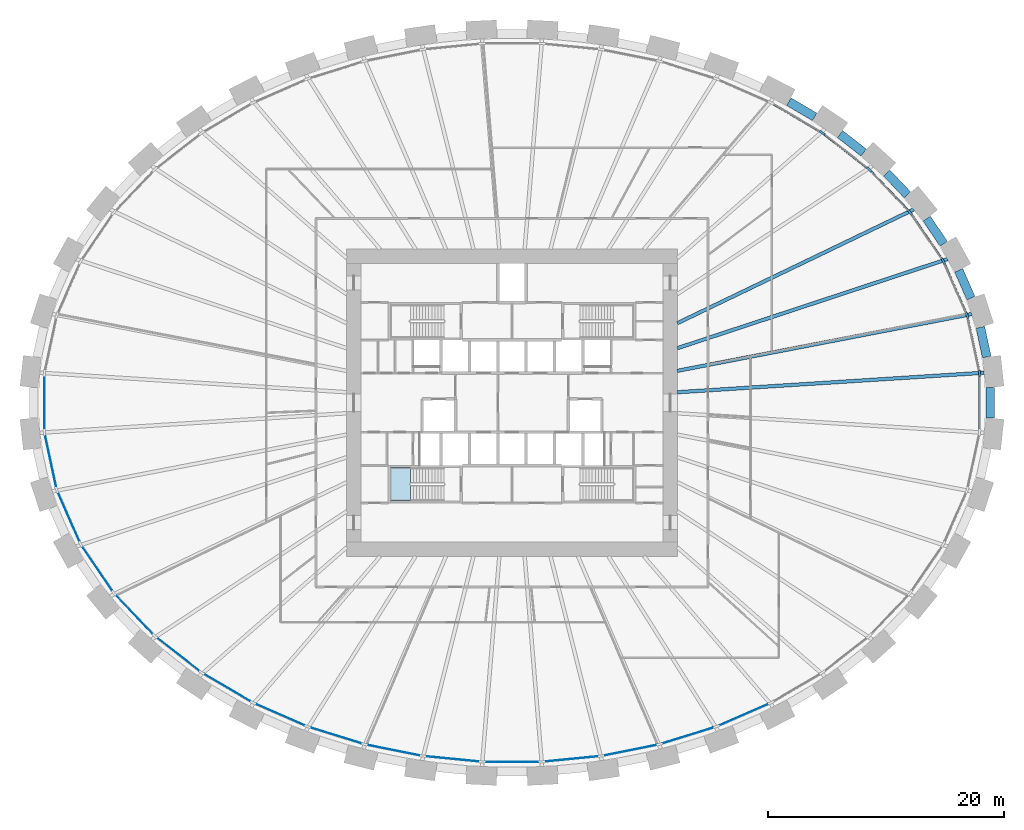
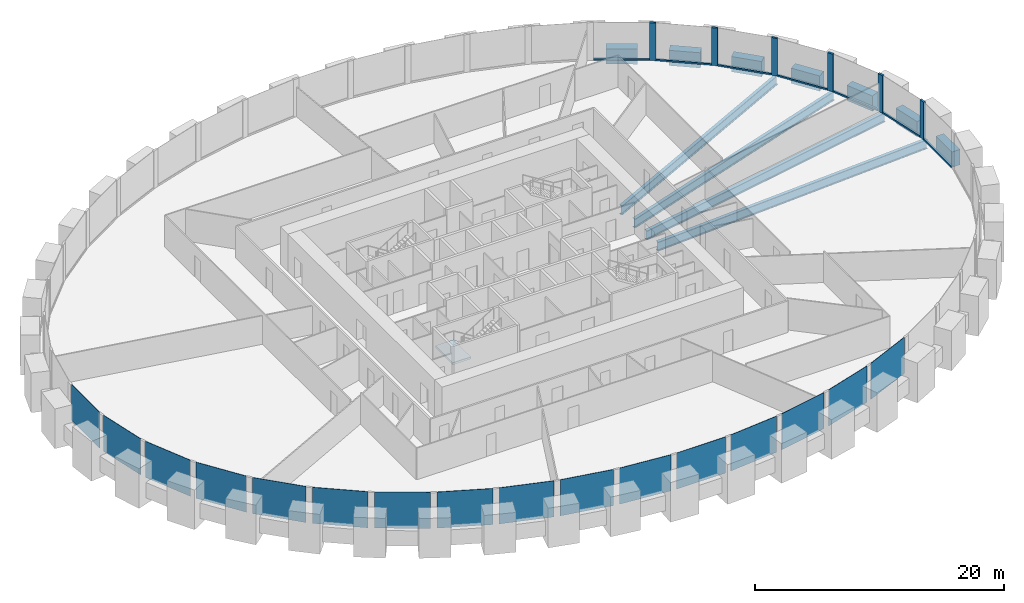
# One storey, part 4 of 11: 16 plates, 13 members, 11 beams, 1 slab, 2 elements without a shape of their own.
"""IFC4 building model written with IfcOpenShell, lengths in metres."""

from ifc_helpers import new_model, si_unit, direction, frame, origin, origin_2d, place, context, subcontext, project, spatial, polyline, rectangle, i_section, outline, extrude, source, transform, mapped, material, layer, layer_set, material_profile, profile_set, type_object, element, aggregate, save


model = new_model("IFC4")

# Units and contexts
model_context = context("Model", 3, precision=1e-05, world=origin(), true_north=direction((0.0, 1.0)))
body_context = subcontext(model_context, "Body", "Model", "MODEL_VIEW")
ifc_project = project(units=[si_unit("LENGTHUNIT", "METRE"), si_unit("AREAUNIT", "SQUARE_METRE"), si_unit("VOLUMEUNIT", "CUBIC_METRE"), si_unit("PLANEANGLEUNIT", "RADIAN"), si_unit("MASSUNIT", "GRAM", prefix="KILO")], contexts=[model_context])

# Site, building, storey
site_placement = place(None, origin())
site = spatial("IfcSite", under=ifc_project, at=site_placement, CompositionType="ELEMENT")
building_placement = place(site_placement, origin())
building = spatial("IfcBuilding", under=site, at=building_placement, Name="Embergate Tower", CompositionType="ELEMENT")
storey_placement = place(building_placement, frame((0.0, 0.0, 77.60009765625)))
storey = spatial("IfcBuildingStorey", under=building, at=storey_placement, Name="L15", CompositionType="ELEMENT", Elevation=77.60009765625)

# Beams
ifc_material_1 = material(Name="Concrete C70", Category="concrete")
ifc_material_profile_1 = material_profile(ifc_material_1, rectangle(XDim=0.75, YDim=1.5, at=origin_2d()), Name="RC 750x1500")
ifc_profile_set_1 = profile_set([ifc_material_profile_1], Name="Concrete C70")
beam_type_1 = type_object("IfcBeamType", Name="Spandrel beam RC 750x1500 C70", PredefinedType="BEAM", material=ifc_profile_set_1)
shared_shape_1 = source(origin(), body_context, "Body", "SweptSolid", [
    extrude(rectangle(XDim=0.75, YDim=1.5, at=origin_2d()), origin(), (0.0, 0.0, 1.0), 2.5498046875),
])
beam_1_placement = place(storey_placement, frame((33.48388671875, 17.60791015625, 0.0), z_axis=(-0.689760361446, 0.724037736432, 0.0), x_axis=(-0.724037736432, -0.689760361446, 0.0)))
element("IfcBeam", 1, at=beam_1_placement, inside=storey, type_object=beam_type_1, Name="SPN-L15-03", PredefinedType="BEAM", context=body_context, shape_type="MappedRepresentation", body=[
    mapped(shared_shape_1, transform((0.0, 0.0, 0.0))),
])
shared_shape_2 = source(origin(), body_context, "Body", "SweptSolid", [
    extrude(rectangle(XDim=0.75, YDim=1.5, at=origin_2d()), origin(), (0.0, 0.0, 1.0), 2.5693359375),
])
beam_2_placement = place(storey_placement, frame((40.201904296875, 3.87109375, 0.0), z_axis=(-0.210093623492, 0.977681271871, 0.0), x_axis=(-0.977681271871, -0.210093623492, 0.0)))
element("IfcBeam", 2, at=beam_2_placement, inside=storey, type_object=beam_type_1, Name="SPN-L15-00", PredefinedType="BEAM", context=body_context, shape_type="MappedRepresentation", body=[
    mapped(shared_shape_2, transform((0.0, 0.0, 0.0))),
])
shared_shape_3 = source(origin(), body_context, "Body", "SweptSolid", [
    extrude(rectangle(XDim=0.75, YDim=1.5, at=origin_2d()), origin(), (0.0, 0.0, 1.0), 2.56591796875),
])
beam_3_placement = place(storey_placement, frame((38.862060546875, 8.85693359375, 0.0), z_axis=(-0.401427690069, 0.915890719271, 0.0), x_axis=(-0.915890719271, -0.401427690069, 0.0)))
element("IfcBeam", 3, at=beam_3_placement, inside=storey, type_object=beam_type_1, Name="SPN-L15-01", PredefinedType="BEAM", context=body_context, shape_type="MappedRepresentation", body=[
    mapped(shared_shape_3, transform((0.0, 0.0, 0.0))),
])
shared_shape_4 = source(origin(), body_context, "Body", "SweptSolid", [
    extrude(rectangle(XDim=0.75, YDim=1.5, at=origin_2d()), origin(), (0.0, 0.0, 1.0), 2.556640625),
])
beam_4_placement = place(storey_placement, frame((36.555908203125, 13.471923828125, 0.0), z_axis=(-0.562432772417, 0.826843018058, 0.0), x_axis=(-0.826843018058, -0.562432772417, 0.0)))
element("IfcBeam", 4, at=beam_4_placement, inside=storey, type_object=beam_type_1, Name="SPN-L15-02", PredefinedType="BEAM", context=body_context, shape_type="MappedRepresentation", body=[
    mapped(shared_shape_4, transform((0.0, 0.0, 0.0))),
])
shared_shape_5 = source(origin(), body_context, "Body", "SweptSolid", [
    extrude(rectangle(XDim=0.75, YDim=1.5, at=origin_2d()), origin(), (0.0, 0.0, 1.0), 2.542724609375),
])
beam_5_placement = place(storey_placement, frame((29.783935546875, 21.18408203125, 0.0), z_axis=(-0.788472504965, 0.615070003264, 0.0), x_axis=(-0.615070003264, -0.788472504965, 0.0)))
element("IfcBeam", 5, at=beam_5_placement, inside=storey, type_object=beam_type_1, Name="SPN-L15-04", PredefinedType="BEAM", context=body_context, shape_type="MappedRepresentation", body=[
    mapped(shared_shape_5, transform((0.0, 0.0, 0.0))),
])
shared_shape_6 = source(origin(), body_context, "Body", "SweptSolid", [
    extrude(rectangle(XDim=0.75, YDim=1.5, at=origin_2d()), origin(), (0.0, 0.0, 1.0), 2.537109375),
])
beam_6_placement = place(storey_placement, frame((25.62890625, 24.2099609375, 0.0), z_axis=(-0.861993577549, 0.506919196978, 0.0), x_axis=(-0.506919196978, -0.861993577549, 0.0)))
element("IfcBeam", 6, at=beam_6_placement, inside=storey, type_object=beam_type_1, Name="SPN-L15-05", PredefinedType="BEAM", context=body_context, shape_type="MappedRepresentation", body=[
    mapped(shared_shape_6, transform((0.0, 0.0, 0.0))),
])
shared_shape_7 = source(origin(), body_context, "Body", "SweptSolid", [
    extrude(rectangle(XDim=0.75, YDim=1.5, at=origin_2d()), origin(), (0.0, 0.0, 1.0), 2.576171875),
])
beam_7_placement = place(storey_placement, frame((40.4970703125, -1.2880859375, 0.0), z_axis=(0.0, 1.0, 0.0), x_axis=(-1.0, 0.0, 0.0)))
element("IfcBeam", 7, at=beam_7_placement, inside=storey, type_object=beam_type_1, Name="SPN-L15-43", PredefinedType="BEAM", context=body_context, shape_type="MappedRepresentation", body=[
    mapped(shared_shape_7, transform((0.0, 0.0, 0.0))),
])
ifc_material_2 = material(Name="Steel Q355B", Category="steel")
ifc_material_profile_2 = material_profile(ifc_material_2, i_section(OverallWidth=0.300048828125, OverallDepth=0.89990234375, WebThickness=0.01611328125, FlangeThickness=0.028076171875, FilletRadius=0.028076171875, at=origin_2d()), Name="HN 900x300x16x28")
ifc_profile_set_2 = profile_set([ifc_material_profile_2], Name="Steel Q355 grade B")
beam_type_2 = type_object("IfcBeamType", Name="Radial girder HN 900x300x16x28", PredefinedType="BEAM", material=ifc_profile_set_2)
shared_shape_8 = source(origin(), body_context, "Body", "SweptSolid", [
    extrude(i_section(OverallWidth=0.300048828125, OverallDepth=0.89990234375, WebThickness=0.01611328125, FlangeThickness=0.028076171875, FilletRadius=0.028076171875, at=origin_2d()), origin(), (0.0, 0.0, 1.0), 26.034423828125),
])
beam_8_placement = place(storey_placement, frame((39.98193359375, 2.5400390625, -0.650146484375), z_axis=(-0.997986864702, -0.063420957753, 0.0), x_axis=(0.063420957753, -0.997986864702, 0.0)))
element("IfcBeam", 8, at=beam_8_placement, inside=storey, type_object=beam_type_2, Name="GIR-L15-00", PredefinedType="BEAM", context=body_context, shape_type="MappedRepresentation", body=[
    mapped(shared_shape_8, transform((0.0, 0.0, 0.0))),
])
shared_shape_9 = source(origin(), body_context, "Body", "SweptSolid", [
    extrude(i_section(OverallWidth=0.300048828125, OverallDepth=0.89990234375, WebThickness=0.01611328125, FlangeThickness=0.028076171875, FilletRadius=0.028076171875, at=origin_2d()), origin(), (0.0, 0.0, 1.0), 25.373291015625),
])
beam_9_placement = place(storey_placement, frame((38.9140625, 7.507080078125, -0.650146484375), z_axis=(-0.981896748495, -0.189416935078, 0.0), x_axis=(0.189416935078, -0.981896748495, 0.0)))
element("IfcBeam", 9, at=beam_9_placement, inside=storey, type_object=beam_type_2, Name="GIR-L15-01", PredefinedType="BEAM", context=body_context, shape_type="MappedRepresentation", body=[
    mapped(shared_shape_9, transform((0.0, 0.0, 0.0))),
])
shared_shape_10 = source(origin(), body_context, "Body", "SweptSolid", [
    extrude(i_section(OverallWidth=0.300048828125, OverallDepth=0.89990234375, WebThickness=0.01611328125, FlangeThickness=0.028076171875, FilletRadius=0.028076171875, at=origin_2d()), origin(), (0.0, 0.0, 1.0), 24.0849609375),
])
beam_10_placement = place(storey_placement, frame((36.873046875, 12.160888671875, -0.650146484375), z_axis=(-0.949680038857, -0.313221684748, 0.0), x_axis=(0.313221684748, -0.949680038857, 0.0)))
element("IfcBeam", 10, at=beam_10_placement, inside=storey, type_object=beam_type_2, Name="GIR-L15-02", PredefinedType="BEAM", context=body_context, shape_type="MappedRepresentation", body=[
    mapped(shared_shape_10, transform((0.0, 0.0, 0.0))),
])
shared_shape_11 = source(origin(), body_context, "Body", "SweptSolid", [
    extrude(i_section(OverallWidth=0.300048828125, OverallDepth=0.89990234375, WebThickness=0.01611328125, FlangeThickness=0.028076171875, FilletRadius=0.028076171875, at=origin_2d()), origin(), (0.0, 0.0, 1.0), 22.210693359375),
])
beam_11_placement = place(storey_placement, frame((34.014892578125, 16.364013671875, -0.650146484375), z_axis=(-0.90114054222, -0.433527073165, 0.0), x_axis=(0.433527073165, -0.90114054222, 0.0)))
element("IfcBeam", 11, at=beam_11_placement, inside=storey, type_object=beam_type_2, Name="GIR-L15-03", PredefinedType="BEAM", context=body_context, shape_type="MappedRepresentation", body=[
    mapped(shared_shape_11, transform((0.0, 0.0, 0.0))),
])

# Curtain wall, members, plates
ifc_material_3 = material(Name="Aluminium and glass", Category="aluminium")
curtain_wall_type = type_object("IfcCurtainWallType", Name="Recessed office glazing", PredefinedType="NOTDEFINED", material=ifc_material_3)
curtain_wall_placement = place(storey_placement, origin())
curtain_wall = element("IfcCurtainWall", 12, at=curtain_wall_placement, inside=storey, type_object=curtain_wall_type, Name="Recessed office glazing ring", ObjectType="RECESSED OFFICE GLAZING", PredefinedType="USERDEFINED")
ifc_material_4 = material(Name="Aluminium, thermally broken", Category="aluminium")
ifc_material_profile_3 = material_profile(ifc_material_4, rectangle(XDim=0.179931640625, YDim=0.52001953125, at=origin_2d()), Name="AL 520x180")
ifc_profile_set_3 = profile_set([ifc_material_profile_3], Name="Aluminium, thermally broken")
member_type_1 = type_object("IfcMemberType", Name="Office mullion", PredefinedType="MULLION", material=ifc_profile_set_3)
shared_shape_12 = source(origin(), body_context, "Body", "SweptSolid", [
    extrude(rectangle(XDim=0.179931640625, YDim=0.52001953125, at=origin_2d()), origin(), (0.0, 0.0, 1.0), 3.699951171875),
])
member_1_placement = place(storey_placement, frame((39.59521484375, 2.498291015625, 0.0), z_axis=(0.0, 0.0, 1.0), x_axis=(-0.994385324123, -0.105819786286, 0.0)))
member_1 = element("IfcMember", 13, at=member_1_placement, type_object=member_type_1, Name="CW mullion 1", PredefinedType="MULLION", context=body_context, shape_type="MappedRepresentation", body=[
    mapped(shared_shape_12, transform((0.0, 0.0, 0.0))),
])
member_2_placement = place(storey_placement, frame((38.543212890625, 7.3857421875, 0.0), z_axis=(0.0, 0.0, 1.0), x_axis=(-0.951501019702, -0.307645590748, 0.0)))
member_2 = element("IfcMember", 14, at=member_2_placement, type_object=member_type_1, Name="CW mullion 2", PredefinedType="MULLION", context=body_context, shape_type="MappedRepresentation", body=[
    mapped(shared_shape_12, transform((0.0, 0.0, 0.0))),
])
member_3_placement = place(storey_placement, frame((36.532470703125, 11.970458984375, 0.0), z_axis=(0.0, 0.0, 1.0), x_axis=(-0.875007810402, -0.484108801547, 0.0)))
member_3 = element("IfcMember", 15, at=member_3_placement, type_object=member_type_1, Name="CW mullion 3", PredefinedType="MULLION", context=body_context, shape_type="MappedRepresentation", body=[
    mapped(shared_shape_12, transform((0.0, 0.0, 0.0))),
])
member_4_placement = place(storey_placement, frame((33.712158203125, 16.11767578125, 0.0), z_axis=(0.0, 0.0, 1.0), x_axis=(-0.777880241921, -0.628412547002, 0.0)))
member_4 = element("IfcMember", 16, at=member_4_placement, type_object=member_type_1, Name="CW mullion 4", PredefinedType="MULLION", context=body_context, shape_type="MappedRepresentation", body=[
    mapped(shared_shape_12, transform((0.0, 0.0, 0.0))),
])
member_5_placement = place(storey_placement, frame((30.2451171875, 19.75341796875, 0.0), z_axis=(0.0, 0.0, 1.0), x_axis=(-0.671234296295, -0.74124524921, 0.0)))
member_5 = element("IfcMember", 17, at=member_5_placement, type_object=member_type_1, Name="CW mullion 5", PredefinedType="MULLION", context=body_context, shape_type="MappedRepresentation", body=[
    mapped(shared_shape_12, transform((0.0, 0.0, 0.0))),
])
member_6_placement = place(storey_placement, frame((26.278564453125, 22.849365234375, 0.0), z_axis=(0.0, 0.0, 1.0), x_axis=(-0.562223392005, -0.826985403428, 0.0)))
member_6 = element("IfcMember", 18, at=member_6_placement, type_object=member_type_1, Name="CW mullion 6", PredefinedType="MULLION", context=body_context, shape_type="MappedRepresentation", body=[
    mapped(shared_shape_12, transform((0.0, 0.0, 0.0))),
])
ifc_material_profile_4 = material_profile(ifc_material_4, rectangle(XDim=0.179931640625, YDim=0.14990234375, at=origin_2d()), Name="AL 150x180")
ifc_profile_set_4 = profile_set([ifc_material_profile_4], Name="Aluminium, thermally broken")
member_type_2 = type_object("IfcMemberType", Name="Office sill transom", PredefinedType="USERDEFINED", material=ifc_profile_set_4)
shared_shape_13 = source(origin(), body_context, "Body", "SweptSolid", [
    extrude(rectangle(XDim=0.179931640625, YDim=0.14990234375, at=origin_2d()), origin(), (0.0, 0.0, 1.0), 4.50390625),
])
member_7_placement = place(storey_placement, frame((33.53271484375, 16.305908203125, 0.074951171875), z_axis=(-0.69015852771, 0.723658211194, 0.0), x_axis=(-0.723658211194, -0.69015852771, 0.0)))
member_7 = element("IfcMember", 19, at=member_7_placement, type_object=member_type_2, Name="CW transom 4.1", ObjectType="TRANSOM", PredefinedType="USERDEFINED", context=body_context, shape_type="MappedRepresentation", body=[
    mapped(shared_shape_13, transform((0.0, 0.0, 0.0))),
])
shared_shape_14 = source(origin(), body_context, "Body", "SweptSolid", [
    extrude(rectangle(XDim=0.179931640625, YDim=0.14990234375, at=origin_2d()), origin(), (0.0, 0.0, 1.0), 4.4794921875),
])
member_8_placement = place(storey_placement, frame((39.540283203125, 2.75244140625, 0.074951171875), z_axis=(-0.210381382065, 0.977619391216, 0.0), x_axis=(-0.977619391216, -0.210381382065, 0.0)))
member_8 = element("IfcMember", 20, at=member_8_placement, type_object=member_type_2, Name="CW transom 1.1", ObjectType="TRANSOM", PredefinedType="USERDEFINED", context=body_context, shape_type="MappedRepresentation", body=[
    mapped(shared_shape_14, transform((0.0, 0.0, 0.0))),
])
shared_shape_15 = source(origin(), body_context, "Body", "SweptSolid", [
    extrude(rectangle(XDim=0.179931640625, YDim=0.14990234375, at=origin_2d()), origin(), (0.0, 0.0, 1.0), 4.486328125),
])
member_9_placement = place(storey_placement, frame((38.43896484375, 7.623779296875, 0.074951171875), z_axis=(-0.401655089719, 0.915791018138, 0.0), x_axis=(-0.915791018138, -0.401655089719, 0.0)))
member_9 = element("IfcMember", 21, at=member_9_placement, type_object=member_type_2, Name="CW transom 2.1", ObjectType="TRANSOM", PredefinedType="USERDEFINED", context=body_context, shape_type="MappedRepresentation", body=[
    mapped(shared_shape_15, transform((0.0, 0.0, 0.0))),
])
shared_shape_16 = source(origin(), body_context, "Body", "SweptSolid", [
    extrude(rectangle(XDim=0.179931640625, YDim=0.14990234375, at=origin_2d()), origin(), (0.0, 0.0, 1.0), 4.4951171875),
])
member_10_placement = place(storey_placement, frame((36.38623046875, 12.185546875, 0.074951171875), z_axis=(-0.562347159837, 0.826901246718, 0.0), x_axis=(-0.826901246718, -0.562347159837, 0.0)))
member_10 = element("IfcMember", 22, at=member_10_placement, type_object=member_type_2, Name="CW transom 3.1", ObjectType="TRANSOM", PredefinedType="USERDEFINED", context=body_context, shape_type="MappedRepresentation", body=[
    mapped(shared_shape_16, transform((0.0, 0.0, 0.0))),
])
shared_shape_17 = source(origin(), body_context, "Body", "SweptSolid", [
    extrude(rectangle(XDim=0.179931640625, YDim=0.14990234375, at=origin_2d()), origin(), (0.0, 0.0, 1.0), 4.511474609375),
])
member_11_placement = place(storey_placement, frame((30.0400390625, 19.91357421875, 0.074951171875), z_axis=(-0.788345870827, 0.615232304052, 0.0), x_axis=(-0.615232304052, -0.788345870827, 0.0)))
member_11 = element("IfcMember", 23, at=member_11_placement, type_object=member_type_2, Name="CW transom 5.1", ObjectType="TRANSOM", PredefinedType="USERDEFINED", context=body_context, shape_type="MappedRepresentation", body=[
    mapped(shared_shape_17, transform((0.0, 0.0, 0.0))),
])
shared_shape_18 = source(origin(), body_context, "Body", "SweptSolid", [
    extrude(rectangle(XDim=0.179931640625, YDim=0.14990234375, at=origin_2d()), origin(), (0.0, 0.0, 1.0), 4.517578125),
])
member_12_placement = place(storey_placement, frame((26.054443359375, 22.981201171875, 0.074951171875), z_axis=(-0.862064774491, 0.506798110279, 0.0), x_axis=(-0.506798110279, -0.862064774491, 0.0)))
member_12 = element("IfcMember", 24, at=member_12_placement, type_object=member_type_2, Name="CW transom 6.1", ObjectType="TRANSOM", PredefinedType="USERDEFINED", context=body_context, shape_type="MappedRepresentation", body=[
    mapped(shared_shape_18, transform((0.0, 0.0, 0.0))),
])
shared_shape_19 = source(origin(), body_context, "Body", "SweptSolid", [
    extrude(rectangle(XDim=0.179931640625, YDim=0.14990234375, at=origin_2d()), origin(), (0.0, 0.0, 1.0), 4.4765625),
])
member_13_placement = place(storey_placement, frame((39.59521484375, -2.23828125, 0.074951171875), z_axis=(0.0, 1.0, 0.0), x_axis=(-1.0, 0.0, 0.0)))
member_13 = element("IfcMember", 25, at=member_13_placement, type_object=member_type_2, Name="CW transom 44.1", ObjectType="TRANSOM", PredefinedType="USERDEFINED", context=body_context, shape_type="MappedRepresentation", body=[
    mapped(shared_shape_19, transform((0.0, 0.0, 0.0))),
])
ifc_material_5 = material(Name="Triple glazing, low-emissivity coating", Category="glass")
ifc_layer_1 = layer(ifc_material_5, 0.035888671875)
ifc_layer_set_1 = layer_set([ifc_layer_1], Name="Triple glazing, low-emissivity coating")
plate_type = type_object("IfcPlateType", Name="Office glazing unit", PredefinedType="CURTAIN_PANEL", material=ifc_layer_set_1)
shared_shape_20 = source(origin(), body_context, "Body", "SweptSolid", [
    extrude(rectangle(XDim=4.50390625, YDim=0.035888671875, at=origin_2d()), origin(), (0.0, 0.0, 1.0), 3.550048828125),
])
plate_1_placement = place(storey_placement, frame((-31.978515625, -17.935546875, 0.14990234375), z_axis=(0.0, 0.0, 1.0), x_axis=(0.690129995266, -0.723685421737, 0.0)))
plate_1 = element("IfcPlate", 26, at=plate_1_placement, type_object=plate_type, Name="CW panel 26.1", PredefinedType="CURTAIN_PANEL", context=body_context, shape_type="MappedRepresentation", body=[
    mapped(shared_shape_20, transform((0.0, 0.0, 0.0))),
])
shared_shape_21 = source(origin(), body_context, "Body", "SweptSolid", [
    extrude(rectangle(XDim=4.479248046875, YDim=0.035888671875, at=origin_2d()), origin(), (0.0, 0.0, 1.0), 3.550048828125),
])
plate_2_placement = place(storey_placement, frame((-39.069091796875, -4.94189453125, 0.14990234375), z_axis=(0.0, 0.0, 1.0), x_axis=(0.210394978653, -0.977616465163, 0.0)))
plate_2 = element("IfcPlate", 27, at=plate_2_placement, type_object=plate_type, Name="CW panel 23.1", PredefinedType="CURTAIN_PANEL", context=body_context, shape_type="MappedRepresentation", body=[
    mapped(shared_shape_21, transform((0.0, 0.0, 0.0))),
])
shared_shape_22 = source(origin(), body_context, "Body", "SweptSolid", [
    extrude(rectangle(XDim=4.486328125, YDim=0.035888671875, at=origin_2d()), origin(), (0.0, 0.0, 1.0), 3.550048828125),
])
plate_3_placement = place(storey_placement, frame((-37.537841796875, -9.677978515625, 0.14990234375), z_axis=(0.0, 0.0, 1.0), x_axis=(0.401647306074, -0.915794431913, 0.0)))
plate_3 = element("IfcPlate", 28, at=plate_3_placement, type_object=plate_type, Name="CW panel 24.1", PredefinedType="CURTAIN_PANEL", context=body_context, shape_type="MappedRepresentation", body=[
    mapped(shared_shape_22, transform((0.0, 0.0, 0.0))),
])
shared_shape_23 = source(origin(), body_context, "Body", "SweptSolid", [
    extrude(rectangle(XDim=4.495361328125, YDim=0.035888671875, at=origin_2d()), origin(), (0.0, 0.0, 1.0), 3.550048828125),
])
plate_4_placement = place(storey_placement, frame((-35.122314453125, -14.044189453125, 0.14990234375), z_axis=(0.0, 0.0, 1.0), x_axis=(0.562337412243, -0.826907875638, 0.0)))
plate_4 = element("IfcPlate", 29, at=plate_4_placement, type_object=plate_type, Name="CW panel 25.1", PredefinedType="CURTAIN_PANEL", context=body_context, shape_type="MappedRepresentation", body=[
    mapped(shared_shape_23, transform((0.0, 0.0, 0.0))),
])
shared_shape_24 = source(origin(), body_context, "Body", "SweptSolid", [
    extrude(rectangle(XDim=4.51171875, YDim=0.035888671875, at=origin_2d()), origin(), (0.0, 0.0, 1.0), 3.550048828125),
])
plate_5_placement = place(storey_placement, frame((-28.26171875, -21.301513671875, 0.14990234375), z_axis=(0.0, 0.0, 1.0), x_axis=(0.788316897722, -0.615269427784, 0.0)))
plate_5 = element("IfcPlate", 30, at=plate_5_placement, type_object=plate_type, Name="CW panel 27.1", PredefinedType="CURTAIN_PANEL", context=body_context, shape_type="MappedRepresentation", body=[
    mapped(shared_shape_24, transform((0.0, 0.0, 0.0))),
])
shared_shape_25 = source(origin(), body_context, "Body", "SweptSolid", [
    extrude(rectangle(XDim=4.517578125, YDim=0.035888671875, at=origin_2d()), origin(), (0.0, 0.0, 1.0), 3.550048828125),
])
plate_6_placement = place(storey_placement, frame((-24.107177734375, -24.1259765625, 0.14990234375), z_axis=(0.0, 0.0, 1.0), x_axis=(0.862050514108, -0.506822366443, 0.0)))
plate_6 = element("IfcPlate", 31, at=plate_6_placement, type_object=plate_type, Name="CW panel 28.1", PredefinedType="CURTAIN_PANEL", context=body_context, shape_type="MappedRepresentation", body=[
    mapped(shared_shape_25, transform((0.0, 0.0, 0.0))),
])
shared_shape_26 = source(origin(), body_context, "Body", "SweptSolid", [
    extrude(rectangle(XDim=4.522216796875, YDim=0.035888671875, at=origin_2d()), origin(), (0.0, 0.0, 1.0), 3.550048828125),
])
plate_7_placement = place(storey_placement, frame((-19.6259765625, -26.41259765625, 0.14990234375), z_axis=(0.0, 0.0, 1.0), x_axis=(0.91623411399, -0.400643293168, 0.0)))
plate_7 = element("IfcPlate", 32, at=plate_7_placement, type_object=plate_type, Name="CW panel 29.1", PredefinedType="CURTAIN_PANEL", context=body_context, shape_type="MappedRepresentation", body=[
    mapped(shared_shape_26, transform((0.0, 0.0, 0.0))),
])
plate_8_placement = place(storey_placement, frame((19.6259765625, -26.41259765625, 0.14990234375), z_axis=(0.0, 0.0, 1.0), x_axis=(0.91623411399, 0.400643293168, 0.0)))
plate_8 = element("IfcPlate", 33, at=plate_8_placement, type_object=plate_type, Name="CW panel 37.1", PredefinedType="CURTAIN_PANEL", context=body_context, shape_type="MappedRepresentation", body=[
    mapped(shared_shape_26, transform((0.0, 0.0, 0.0))),
])
shared_shape_27 = source(origin(), body_context, "Body", "SweptSolid", [
    extrude(rectangle(XDim=4.525390625, YDim=0.035888671875, at=origin_2d()), origin(), (0.0, 0.0, 1.0), 3.550048828125),
])
plate_9_placement = place(storey_placement, frame((-14.9072265625, -28.172607421875, 0.14990234375), z_axis=(0.0, 0.0, 1.0), x_axis=(0.954771179262, -0.297341546458, 0.0)))
plate_9 = element("IfcPlate", 34, at=plate_9_placement, type_object=plate_type, Name="CW panel 30.1", PredefinedType="CURTAIN_PANEL", context=body_context, shape_type="MappedRepresentation", body=[
    mapped(shared_shape_27, transform((0.0, 0.0, 0.0))),
])
plate_10_placement = place(storey_placement, frame((14.9072265625, -28.172607421875, 0.14990234375), z_axis=(0.0, 0.0, 1.0), x_axis=(0.954771179262, 0.297341546458, 0.0)))
plate_10 = element("IfcPlate", 35, at=plate_10_placement, type_object=plate_type, Name="CW panel 36.1", PredefinedType="CURTAIN_PANEL", context=body_context, shape_type="MappedRepresentation", body=[
    mapped(shared_shape_27, transform((0.0, 0.0, 0.0))),
])
shared_shape_28 = source(origin(), body_context, "Body", "SweptSolid", [
    extrude(rectangle(XDim=4.527587890625, YDim=0.035888671875, at=origin_2d()), origin(), (0.0, 0.0, 1.0), 3.550048828125),
])
plate_11_placement = place(storey_placement, frame((-10.024169921875, -29.419189453125, 0.14990234375), z_axis=(0.0, 0.0, 1.0), x_axis=(0.980475221003, -0.196642673395, 0.0)))
plate_11 = element("IfcPlate", 36, at=plate_11_placement, type_object=plate_type, Name="CW panel 31.1", PredefinedType="CURTAIN_PANEL", context=body_context, shape_type="MappedRepresentation", body=[
    mapped(shared_shape_28, transform((0.0, 0.0, 0.0))),
])
plate_12_placement = place(storey_placement, frame((10.024169921875, -29.419189453125, 0.14990234375), z_axis=(0.0, 0.0, 1.0), x_axis=(0.980475221003, 0.196642673395, 0.0)))
plate_12 = element("IfcPlate", 37, at=plate_12_placement, type_object=plate_type, Name="CW panel 35.1", PredefinedType="CURTAIN_PANEL", context=body_context, shape_type="MappedRepresentation", body=[
    mapped(shared_shape_28, transform((0.0, 0.0, 0.0))),
])
shared_shape_29 = source(origin(), body_context, "Body", "SweptSolid", [
    extrude(rectangle(XDim=4.529052734375, YDim=0.035888671875, at=origin_2d()), origin(), (0.0, 0.0, 1.0), 3.550048828125),
])
plate_13_placement = place(storey_placement, frame((-5.037109375, -30.162353515625, 0.14990234375), z_axis=(0.0, 0.0, 1.0), x_axis=(0.995203014042, -0.097831287645, 0.0)))
plate_13 = element("IfcPlate", 38, at=plate_13_placement, type_object=plate_type, Name="CW panel 32.1", PredefinedType="CURTAIN_PANEL", context=body_context, shape_type="MappedRepresentation", body=[
    mapped(shared_shape_29, transform((0.0, 0.0, 0.0))),
])
plate_14_placement = place(storey_placement, frame((5.037109375, -30.162353515625, 0.14990234375), z_axis=(0.0, 0.0, 1.0), x_axis=(0.995203014042, 0.097831287645, 0.0)))
plate_14 = element("IfcPlate", 39, at=plate_14_placement, type_object=plate_type, Name="CW panel 34.1", PredefinedType="CURTAIN_PANEL", context=body_context, shape_type="MappedRepresentation", body=[
    mapped(shared_shape_29, transform((0.0, 0.0, 0.0))),
])
shared_shape_30 = source(origin(), body_context, "Body", "SweptSolid", [
    extrude(rectangle(XDim=4.529296875, YDim=0.035888671875, at=origin_2d()), origin(), (0.0, 0.0, 1.0), 3.550048828125),
])
plate_15_placement = place(storey_placement, frame((0.0, -30.409423828125, 0.14990234375), z_axis=(0.0, 0.0, 1.0), x_axis=(1.0, 0.0, 0.0)))
plate_15 = element("IfcPlate", 40, at=plate_15_placement, type_object=plate_type, Name="CW panel 33.1", PredefinedType="CURTAIN_PANEL", context=body_context, shape_type="MappedRepresentation", body=[
    mapped(shared_shape_30, transform((0.0, 0.0, 0.0))),
])
shared_shape_31 = source(origin(), body_context, "Body", "SweptSolid", [
    extrude(rectangle(XDim=4.4765625, YDim=0.035888671875, at=origin_2d()), origin(), (0.0, 0.0, 1.0), 3.550048828125),
])
plate_16_placement = place(storey_placement, frame((-39.59521484375, 0.0, 0.14990234375), z_axis=(0.0, 0.0, 1.0), x_axis=(0.0, -1.0, 0.0)))
plate_16 = element("IfcPlate", 41, at=plate_16_placement, type_object=plate_type, Name="CW panel 22.1", PredefinedType="CURTAIN_PANEL", context=body_context, shape_type="MappedRepresentation", body=[
    mapped(shared_shape_31, transform((0.0, 0.0, 0.0))),
])
aggregate(curtain_wall, [member_1, member_2, member_3, member_4, member_5, member_6, member_8, member_9, member_10, member_7, member_11, member_12, plate_16, plate_2, plate_3, plate_4, plate_1, plate_5, plate_6, plate_7, plate_9, plate_11, plate_13, plate_15, plate_14, plate_12, plate_10, plate_8, member_13])

# Stair, slab
ifc_material_6 = material(Name="Exit stair")
stair_type = type_object("IfcStairType", Name="Exit stair", PredefinedType="HALF_TURN_STAIR", material=ifc_material_6)
stair_placement = place(storey_placement, origin())
stair = element("IfcStair", 42, at=stair_placement, inside=storey, type_object=stair_type, Name="L15 Exit stair 3", PredefinedType="HALF_TURN_STAIR")
ifc_material_7 = material(Name="Concrete C40", Category="concrete")
ifc_layer_2 = layer(ifc_material_7, 0.199951171875)
ifc_layer_set_2 = layer_set([ifc_layer_2], Name="Concrete C40")
slab_type = type_object("IfcSlabType", Name="Stair landing reinforced concrete", PredefinedType="LANDING", material=ifc_layer_set_2)
shared_shape_32 = source(origin(), body_context, "Body", "SweptSolid", [
    extrude(outline(polyline([(0.0, 0.0), (1.68994140625, 0.0), (1.68994140625, 2.800048828125), (0.0, 2.800048828125), (0.0, 0.0)])), origin(), (0.0, 0.0, 1.0), 0.199951171875),
])
slab_placement = place(storey_placement, frame((-10.300048828125, -8.300048828125, 1.75)))
slab = element("IfcSlab", 43, at=slab_placement, type_object=slab_type, Name="ST3 landing 1", PredefinedType="LANDING", context=body_context, shape_type="MappedRepresentation", body=[
    mapped(shared_shape_32, transform((0.0, 0.0, 0.0))),
])
aggregate(stair, [slab])

save(model, "model.ifc")
